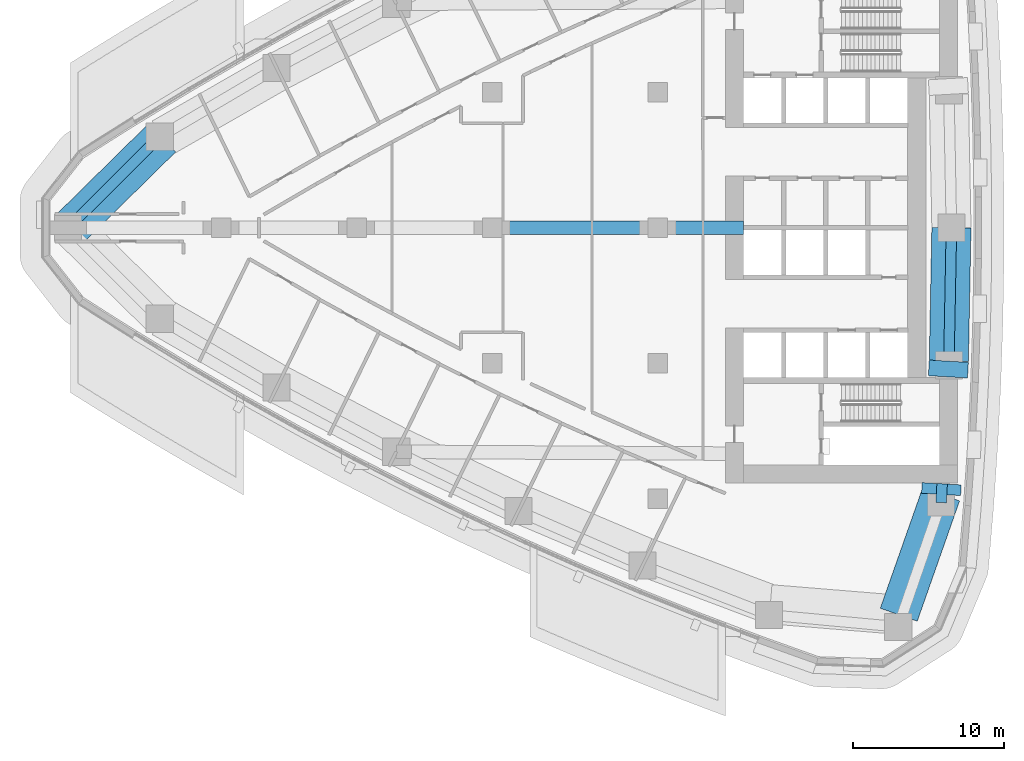
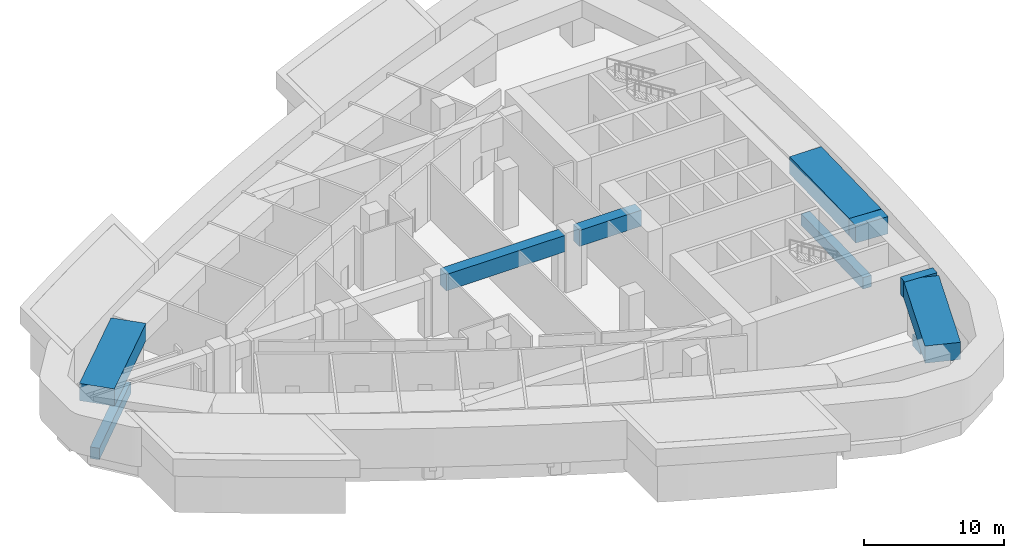
# One storey, part 4 of 17: 10 beams.
"""IFC4 building model written with IfcOpenShell, lengths in metres."""

from ifc_helpers import new_model, si_unit, direction, frame, origin, origin_2d, place, context, subcontext, project, spatial, rectangle, extrude, material, material_profile, profile_set, type_object, element, save


model = new_model("IFC4")

# Units and contexts
model_context = context("Model", 3, precision=1e-05, world=origin(), true_north=direction((0.0, 1.0)))
body_context = subcontext(model_context, "Body", "Model", "MODEL_VIEW")
ifc_project = project(units=[si_unit("LENGTHUNIT", "METRE"), si_unit("AREAUNIT", "SQUARE_METRE"), si_unit("VOLUMEUNIT", "CUBIC_METRE"), si_unit("PLANEANGLEUNIT", "RADIAN"), si_unit("MASSUNIT", "GRAM", prefix="KILO")], contexts=[model_context])

# Site, building, storey
site_placement = place(None, origin())
site = spatial("IfcSite", under=ifc_project, at=site_placement, CompositionType="ELEMENT")
building_placement = place(site_placement, origin())
building = spatial("IfcBuilding", under=site, at=building_placement, Name="Ostrand Prow Hotel Tower", CompositionType="ELEMENT")
storey_placement = place(building_placement, frame((0.0, 0.0, 75.10009765625)))
storey = spatial("IfcBuildingStorey", under=building, at=storey_placement, Name="L17", CompositionType="ELEMENT", Elevation=75.10009765625)

# Beams
ifc_material_1 = material(Name="Concrete C80/95", Category="concrete")
ifc_material_profile_1 = material_profile(ifc_material_1, rectangle(XDim=2.60009765625, YDim=1.5, at=origin_2d()), Name="RC 2600x1500")
ifc_profile_set_1 = profile_set([ifc_material_profile_1], Name="Concrete C80/95")
beam_type_1 = type_object("IfcBeamType", Name="Belt girder 2600x1500 C80/95", PredefinedType="BEAM", material=ifc_profile_set_1)
beam_1_placement = place(storey_placement, frame((61.003173828125, -25.69775390625, 4.14990234375), z_axis=(0.331850648499, 0.943331938975, 0.0), x_axis=(-0.943331938975, 0.331850648499, 0.0)))
element("IfcBeam", 1, at=beam_1_placement, inside=storey, type_object=beam_type_1, Name="Belt girder SE-B1", PredefinedType="BEAM", context=body_context, shape_type="SweptSolid", body=[
    extrude(rectangle(XDim=2.60009765625, YDim=1.5, at=origin_2d()), origin(), (0.0, 0.0, 1.0), 8.471435546875),
])
beam_2_placement = place(storey_placement, frame((63.814453125, -17.706298828125, 4.14990234375), z_axis=(0.058317448014, 0.998298089379, 0.0), x_axis=(-0.998298089379, 0.058317448014, 0.0)))
element("IfcBeam", 2, at=beam_2_placement, inside=storey, type_object=beam_type_1, Name="Belt girder B1-B2", PredefinedType="BEAM", context=body_context, shape_type="SweptSolid", body=[
    extrude(rectangle(XDim=2.60009765625, YDim=1.5, at=origin_2d()), origin(), (0.0, 0.0, 1.0), 0.70751953125),
])
beam_3_placement = place(storey_placement, frame((64.268310546875, -9.89990234375, 4.14990234375), z_axis=(0.057884004436, 0.99832331538, 0.0), x_axis=(-0.99832331538, 0.057884004436, 0.0)))
element("IfcBeam", 3, at=beam_3_placement, inside=storey, type_object=beam_type_1, Name="Belt girder B1-B2", PredefinedType="BEAM", context=body_context, shape_type="SweptSolid", body=[
    extrude(rectangle(XDim=2.60009765625, YDim=1.5, at=origin_2d()), origin(), (0.0, 0.0, 1.0), 1.041748046875),
])
beam_4_placement = place(storey_placement, frame((64.32861328125, -8.85986328125, 4.14990234375), z_axis=(0.019340553698, 0.999812953998, 0.0), x_axis=(-0.999812953998, 0.019340553698, 0.0)))
element("IfcBeam", 4, at=beam_4_placement, inside=storey, type_object=beam_type_1, Name="Belt girder B2-B3", PredefinedType="BEAM", context=body_context, shape_type="SweptSolid", body=[
    extrude(rectangle(XDim=2.60009765625, YDim=1.5, at=origin_2d()), origin(), (0.0, 0.0, 1.0), 8.861572265625),
])
beam_5_placement = place(storey_placement, frame((12.073974609375, 5.958984375, 4.14990234375), z_axis=(-0.712632252093, -0.701537791767, 0.0), x_axis=(0.701537791767, -0.712632252093, 0.0)))
element("IfcBeam", 5, at=beam_5_placement, inside=storey, type_object=beam_type_1, Name="Belt girder N6-P", PredefinedType="BEAM", context=body_context, shape_type="SweptSolid", body=[
    extrude(rectangle(XDim=2.60009765625, YDim=1.5, at=origin_2d()), origin(), (0.0, 0.0, 1.0), 8.494140625),
])
ifc_material_2 = material(Name="Concrete C80/95", Category="concrete")
ifc_material_profile_2 = material_profile(ifc_material_2, rectangle(XDim=0.699951171875, YDim=1.0, at=origin_2d()), Name="RC 700x1000")
ifc_profile_set_2 = profile_set([ifc_material_profile_2], Name="Concrete C80/95")
beam_type_2 = type_object("IfcBeamType", Name="Edge beam 700x1000 C80/95", PredefinedType="SPANDREL", material=ifc_profile_set_2)
beam_6_placement = place(storey_placement, frame((63.8134765625, -18.248779296875, -0.900146484375), z_axis=(0.056215946509, 0.998418633319, 0.0), x_axis=(-0.998418633319, 0.056215946509, 0.0)))
element("IfcBeam", 6, at=beam_6_placement, inside=storey, type_object=beam_type_2, Name="Edge beam B1-B2", PredefinedType="SPANDREL", context=body_context, shape_type="SweptSolid", body=[
    extrude(rectangle(XDim=0.699951171875, YDim=1.0, at=origin_2d()), origin(), (0.0, 0.0, 1.0), 1.250732421875),
])
beam_7_placement = place(storey_placement, frame((64.328369140625, -9.130859375, -0.900146484375), z_axis=(0.018793471688, 0.999823387115, 0.0), x_axis=(-0.999823387115, 0.018793471688, 0.0)))
element("IfcBeam", 7, at=beam_7_placement, inside=storey, type_object=beam_type_2, Name="Edge beam B2-B3", PredefinedType="SPANDREL", context=body_context, shape_type="SweptSolid", body=[
    extrude(rectangle(XDim=0.699951171875, YDim=1.0, at=origin_2d()), origin(), (0.0, 0.0, 1.0), 9.132568359375),
])
beam_8_placement = place(storey_placement, frame((11.926513671875, 6.0419921875, -0.900146484375), z_axis=(-0.709211674915, -0.70499560294, 0.0), x_axis=(0.70499560294, -0.709211674915, 0.0)))
element("IfcBeam", 8, at=beam_8_placement, inside=storey, type_object=beam_type_2, Name="Edge beam N6-P", PredefinedType="SPANDREL", context=body_context, shape_type="SweptSolid", body=[
    extrude(rectangle(XDim=0.699951171875, YDim=1.0, at=origin_2d()), origin(), (0.0, 0.0, 1.0), 8.5703125),
])
ifc_material_3 = material(Name="Concrete C80/95", Category="concrete")
ifc_material_profile_3 = material_profile(ifc_material_3, rectangle(XDim=0.89990234375, YDim=1.39990234375, at=origin_2d()), Name="RC 900x1400")
ifc_profile_set_3 = profile_set([ifc_material_profile_3], Name="Concrete C80/95")
beam_type_3 = type_object("IfcBeamType", Name="Outrigger lintel 900x1400 C80/95", PredefinedType="LINTEL", material=ifc_profile_set_3)
beam_9_placement = place(storey_placement, frame((45.60009765625, 0.0, 4.199951171875), z_axis=(1.0, 0.0, 0.0), x_axis=(0.0, 1.0, 0.0)))
element("IfcBeam", 9, at=beam_9_placement, inside=storey, type_object=beam_type_3, Name="Outrigger lintel A5", PredefinedType="LINTEL", context=body_context, shape_type="SweptSolid", body=[
    extrude(rectangle(XDim=0.89990234375, YDim=1.39990234375, at=origin_2d()), origin(), (0.0, 0.0, 1.0), 5.099853515625),
])
ifc_material_4 = material(Name="Concrete C80/95", Category="concrete")
ifc_material_profile_4 = material_profile(ifc_material_4, rectangle(XDim=0.89990234375, YDim=1.429931640625, at=origin_2d()), Name="RC 900x1430")
ifc_profile_set_4 = profile_set([ifc_material_profile_4], Name="Concrete C80/95")
beam_type_4 = type_object("IfcBeamType", Name="Outrigger lintel 900x1430 C80/95", PredefinedType="LINTEL", material=ifc_profile_set_4)
beam_10_placement = place(storey_placement, frame((34.60009765625, 0.0, 4.184814453125), z_axis=(1.0, 0.0, 0.0), x_axis=(0.0, 1.0, 0.0)))
element("IfcBeam", 10, at=beam_10_placement, inside=storey, type_object=beam_type_4, Name="Outrigger lintel A4", PredefinedType="LINTEL", context=body_context, shape_type="SweptSolid", body=[
    extrude(rectangle(XDim=0.89990234375, YDim=1.429931640625, at=origin_2d()), origin(), (0.0, 0.0, 1.0), 9.7998046875),
])

save(model, "model.ifc")
